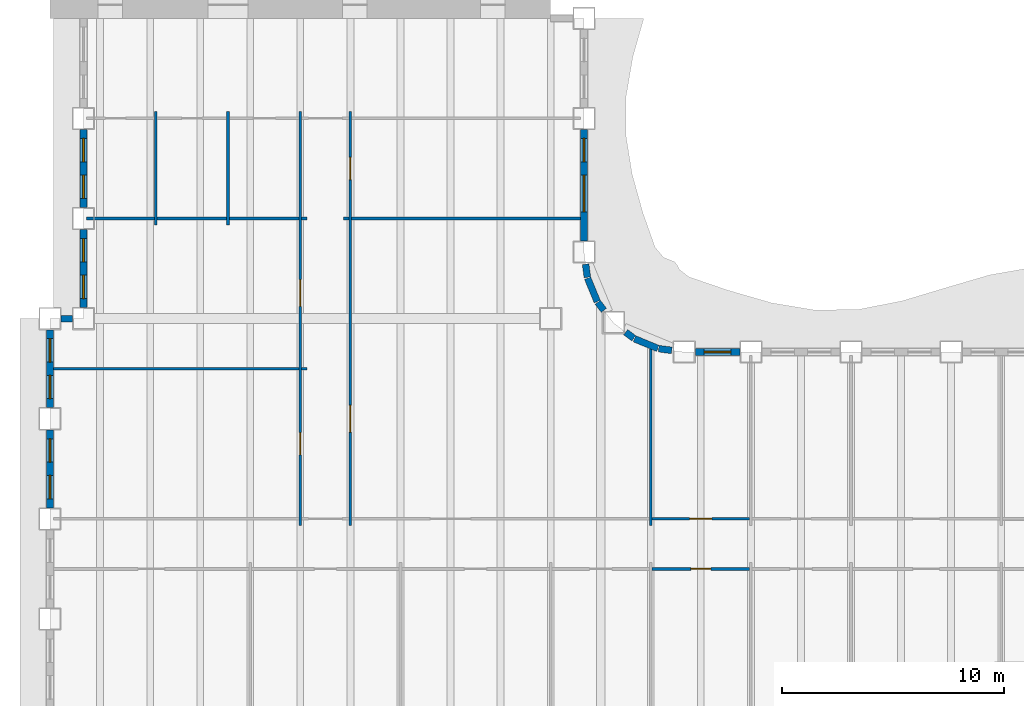
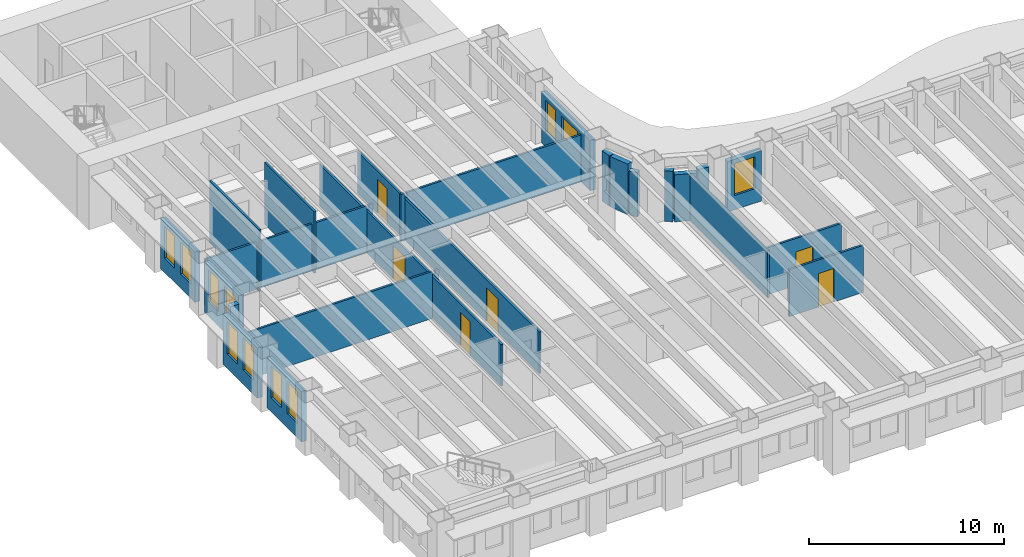
# One storey, part 4 of 16: 28 walls, 11 windows, 6 doors, 17 openings.
"""IFC4 building model written with IfcOpenShell, lengths in metres."""

from ifc_helpers import new_model, si_unit, direction, frame, frame_2d, origin, place, context, subcontext, project, spatial, rectangle, extrude, material, layer, layer_set, type_object, element, fill, save


model = new_model("IFC4")

# Units and contexts
model_context = context("Model", 3, precision=1e-05, world=origin(), true_north=direction((0.0, 1.0)))
body_context = subcontext(model_context, "Body", "Model", "MODEL_VIEW")
ifc_project = project(units=[si_unit("LENGTHUNIT", "METRE"), si_unit("AREAUNIT", "SQUARE_METRE"), si_unit("VOLUMEUNIT", "CUBIC_METRE"), si_unit("PLANEANGLEUNIT", "RADIAN"), si_unit("MASSUNIT", "GRAM", prefix="KILO")], contexts=[model_context])

# Site, building, storey
site_placement = place(None, origin())
site = spatial("IfcSite", under=ifc_project, at=site_placement, CompositionType="ELEMENT")
building_placement = place(site_placement, origin())
building = spatial("IfcBuilding", under=site, at=building_placement, Name="Sennacour Bend Tower", CompositionType="ELEMENT")
storey_placement = place(building_placement, frame((0.0, 0.0, 87.0)))
storey = spatial("IfcBuildingStorey", under=building, at=storey_placement, Name="L19", CompositionType="ELEMENT", Elevation=87.0)

# Walls
ifc_material_1 = material(Name="Plasterboard partition on steel studs", Category="steel")
ifc_layer_1 = layer(ifc_material_1, 0.1201171875, Name="Plasterboard partition on steel studs", Category="steel")
ifc_layer_set_1 = layer_set([ifc_layer_1], Name="Plasterboard partition on steel studs")
wall_type_1 = type_object("IfcWallType", Name="Partition 120", PredefinedType="PARTITIONING", material=ifc_layer_set_1)
for number, where, z_axis, x_axis, name in (
    (1, (4.75, 26.699951171875, 0.0), (0.0, 0.0, 1.0), (0.0, 1.0, 0.0), "P-L19-W007a"),
    (2, (8.0, 26.699951171875, 0.0), (0.0, 0.0, 1.0), (0.0, 1.0, 0.0), "P-L19-W009a"),
):
    element("IfcWall", number, at=place(storey_placement, frame(where, z_axis=z_axis, x_axis=x_axis)), inside=storey, type_object=wall_type_1, Name=name, PredefinedType="PARTITIONING", context=body_context, shape_type="SweptSolid", body=[
        extrude(rectangle(XDim=5.10009765625, YDim=0.1201171875, at=frame_2d((2.550048828125, 0.0))), origin(), (0.0, 0.0, 1.0), 3.85009765625),
    ])

# Wall, openings, doors
wall_1_placement = place(storey_placement, frame((11.25, 13.199951171875, 0.0), z_axis=(0.0, 0.0, 1.0), x_axis=(0.0, 1.0, 0.0)))
wall_1 = element("IfcWall", 3, at=wall_1_placement, inside=storey, type_object=wall_type_1, Name="P-L19-W014a", PredefinedType="PARTITIONING", context=body_context, shape_type="SweptSolid", body=[
    extrude(rectangle(XDim=18.60009765625, YDim=0.1201171875, at=frame_2d((9.300048828125, 0.0))), origin(), (0.0, 0.0, 1.0), 2.60009765625),
])
opening_1_placement = place(wall_1_placement, frame((3.175048828125, 0.0, 0.0)))
opening_1 = element("IfcOpeningElement", 4, at=opening_1_placement, cuts=wall_1, Name="Opening OD2", PredefinedType="OPENING", context=body_context, shape_type="SweptSolid", body=[
    extrude(rectangle(XDim=1.0, YDim=2.10009765625, at=frame_2d((0.5, 1.050048828125))), frame((0.0, 0.070068359375, 0.0), z_axis=(0.0, -1.0, 0.0), x_axis=(1.0, 0.0, 0.0)), (0.0, 0.0, 1.0), 0.14013671875),
])
opening_2_placement = place(wall_1_placement, frame((9.85498046875, 0.0, 0.0)))
opening_2 = element("IfcOpeningElement", 5, at=opening_2_placement, cuts=wall_1, Name="Opening MD", PredefinedType="OPENING", context=body_context, shape_type="SweptSolid", body=[
    extrude(rectangle(XDim=1.199951171875, YDim=2.10009765625, at=frame_2d((0.60009765625, 1.050048828125))), frame((0.0, 0.070068359375, 0.0), z_axis=(0.0, -1.0, 0.0), x_axis=(1.0, 0.0, 0.0)), (0.0, 0.0, 1.0), 0.14013671875),
])
ifc_material_2 = material(Name="Timber", Category="wood")
door_type_1 = type_object("IfcDoorType", Name="DR-MEETING-1200", OperationType="NOTDEFINED", PredefinedType="DOOR", material=ifc_material_2)
door_1_placement = place(opening_2_placement, origin())
door_1 = element("IfcDoor", 6, at=door_1_placement, inside=storey, type_object=door_type_1, Name="Door", OperationType="SINGLE_SWING_RIGHT", OverallHeight=2.10009765625, OverallWidth=1.199951171875, PredefinedType="DOOR", context=body_context, shape_type="SweptSolid", body=[
    extrude(rectangle(XDim=1.199951171875, YDim=2.10009765625, at=frame_2d((0.60009765625, 1.050048828125))), frame((0.0, 0.02490234375, 0.0), z_axis=(0.0, -1.0, 0.0), x_axis=(1.0, 0.0, 0.0)), (0.0, 0.0, 1.0), 0.050048828125),
])
fill(opening_2, door_1)
door_type_2 = type_object("IfcDoorType", Name="DR-OFFICE-1000", OperationType="NOTDEFINED", PredefinedType="DOOR", material=ifc_material_2)
door_2_placement = place(opening_1_placement, origin())
door_2 = element("IfcDoor", 7, at=door_2_placement, inside=storey, type_object=door_type_2, Name="Door", OperationType="SINGLE_SWING_LEFT", OverallHeight=2.10009765625, OverallWidth=1.0, PredefinedType="DOOR", context=body_context, shape_type="SweptSolid", body=[
    extrude(rectangle(XDim=1.0, YDim=2.10009765625, at=frame_2d((0.5, 1.050048828125))), frame((0.0, 0.02490234375, 0.0), z_axis=(0.0, -1.0, 0.0), x_axis=(1.0, 0.0, 0.0)), (0.0, 0.0, 1.0), 0.050048828125),
])
fill(opening_1, door_2)

wall_2_placement = place(storey_placement, frame((13.5, 13.199951171875, 0.0), z_axis=(0.0, 0.0, 1.0), x_axis=(0.0, 1.0, 0.0)))
wall_2 = element("IfcWall", 8, at=wall_2_placement, inside=storey, type_object=wall_type_1, Name="P-L19-W016a", PredefinedType="PARTITIONING", context=body_context, shape_type="SweptSolid", body=[
    extrude(rectangle(XDim=18.60009765625, YDim=0.1201171875, at=frame_2d((9.300048828125, 0.0))), origin(), (0.0, 0.0, 1.0), 2.60009765625),
])
opening_3_placement = place(wall_2_placement, frame((15.550048828125, 0.0, 0.0)))
opening_3 = element("IfcOpeningElement", 9, at=opening_3_placement, cuts=wall_2, Name="Opening OD2", PredefinedType="OPENING", context=body_context, shape_type="SweptSolid", body=[
    extrude(rectangle(XDim=1.0, YDim=2.10009765625, at=frame_2d((0.5, 1.050048828125))), frame((0.0, 0.070068359375, 0.0), z_axis=(0.0, -1.0, 0.0), x_axis=(1.0, 0.0, 0.0)), (0.0, 0.0, 1.0), 0.14013671875),
])
opening_4_placement = place(wall_2_placement, frame((4.199951171875, 0.0, 0.0)))
opening_4 = element("IfcOpeningElement", 10, at=opening_4_placement, cuts=wall_2, Name="Opening OD", PredefinedType="OPENING", context=body_context, shape_type="SweptSolid", body=[
    extrude(rectangle(XDim=1.199951171875, YDim=2.10009765625, at=frame_2d((0.60009765625, 1.050048828125))), frame((0.0, 0.070068359375, 0.0), z_axis=(0.0, -1.0, 0.0), x_axis=(1.0, 0.0, 0.0)), (0.0, 0.0, 1.0), 0.14013671875),
])
door_3_placement = place(opening_3_placement, origin())
door_3 = element("IfcDoor", 11, at=door_3_placement, inside=storey, type_object=door_type_2, Name="Door", OperationType="SINGLE_SWING_RIGHT", OverallHeight=2.10009765625, OverallWidth=1.0, PredefinedType="DOOR", context=body_context, shape_type="SweptSolid", body=[
    extrude(rectangle(XDim=1.0, YDim=2.10009765625, at=frame_2d((0.5, 1.050048828125))), frame((0.0, 0.02490234375, 0.0), z_axis=(0.0, -1.0, 0.0), x_axis=(1.0, 0.0, 0.0)), (0.0, 0.0, 1.0), 0.050048828125),
])
fill(opening_3, door_3)
door_type_3 = type_object("IfcDoorType", Name="DR-OFFICE-1200", OperationType="NOTDEFINED", PredefinedType="DOOR", material=ifc_material_2)
door_4_placement = place(opening_4_placement, origin())
door_4 = element("IfcDoor", 12, at=door_4_placement, inside=storey, type_object=door_type_3, Name="Door", OperationType="SINGLE_SWING_LEFT", OverallHeight=2.10009765625, OverallWidth=1.199951171875, PredefinedType="DOOR", context=body_context, shape_type="SweptSolid", body=[
    extrude(rectangle(XDim=1.199951171875, YDim=2.10009765625, at=frame_2d((0.60009765625, 1.050048828125))), frame((0.0, 0.02490234375, 0.0), z_axis=(0.0, -1.0, 0.0), x_axis=(1.0, 0.0, 0.0)), (0.0, 0.0, 1.0), 0.050048828125),
])
fill(opening_4, door_4)

# Wall
wall_3_placement = place(storey_placement, frame((27.0, 13.199951171875, 0.0), z_axis=(0.0, 0.0, 1.0), x_axis=(0.0, 1.0, 0.0)))
element("IfcWall", 13, at=wall_3_placement, inside=storey, type_object=wall_type_1, Name="P-L19-W027a", PredefinedType="PARTITIONING", context=body_context, shape_type="SweptSolid", body=[
    extrude(rectangle(XDim=7.929931640625, YDim=0.1201171875, at=frame_2d((3.96484375, 0.0))), origin(), (0.0, 0.0, 1.0), 2.93798828125),
])

# Wall, opening, door
wall_4_placement = place(storey_placement, frame((27.06005859375, 13.5, 0.0), z_axis=(0.0, 0.0, 1.0), x_axis=(1.0, 0.0, 0.0)))
wall_4 = element("IfcWall", 14, at=wall_4_placement, inside=storey, type_object=wall_type_1, Name="P-L19-W060ad", PredefinedType="PARTITIONING", context=body_context, shape_type="SweptSolid", body=[
    extrude(rectangle(XDim=4.3798828125, YDim=0.1201171875, at=frame_2d((2.18994140625, 0.0))), origin(), (0.0, 0.0, 1.0), 2.93798828125),
])
opening_5_placement = place(wall_4_placement, frame((1.68994140625, 0.0, 0.0)))
opening_5 = element("IfcOpeningElement", 15, at=opening_5_placement, cuts=wall_4, Name="Opening OD2", PredefinedType="OPENING", context=body_context, shape_type="SweptSolid", body=[
    extrude(rectangle(XDim=1.0, YDim=2.10009765625, at=frame_2d((0.5, 1.050048828125))), frame((0.0, 0.070068359375, 0.0), z_axis=(0.0, -1.0, 0.0), x_axis=(1.0, 0.0, 0.0)), (0.0, 0.0, 1.0), 0.14013671875),
])
door_5_placement = place(opening_5_placement, origin())
door_5 = element("IfcDoor", 16, at=door_5_placement, inside=storey, type_object=door_type_2, Name="Door", OperationType="SINGLE_SWING_LEFT", OverallHeight=2.10009765625, OverallWidth=1.0, PredefinedType="DOOR", context=body_context, shape_type="SweptSolid", body=[
    extrude(rectangle(XDim=1.0, YDim=2.10009765625, at=frame_2d((0.5, 1.050048828125))), frame((0.0, 0.02490234375, 0.0), z_axis=(0.0, -1.0, 0.0), x_axis=(1.0, 0.0, 0.0)), (0.0, 0.0, 1.0), 0.050048828125),
])
fill(opening_5, door_5)

# Walls
wall_5_placement = place(storey_placement, frame((0.14990234375, 20.25, 0.0), z_axis=(0.0, 0.0, 1.0), x_axis=(1.0, 0.0, 0.0)))
element("IfcWall", 17, at=wall_5_placement, inside=storey, type_object=wall_type_1, Name="P-L19-W067aa", PredefinedType="PARTITIONING", context=body_context, shape_type="SweptSolid", body=[
    extrude(rectangle(XDim=11.0400390625, YDim=0.1201171875, at=frame_2d((5.52001953125, 0.0))), origin(), (0.0, 0.0, 1.0), 2.93798828125),
])
wall_6_placement = place(storey_placement, frame((11.31005859375, 20.25, 0.0), z_axis=(0.0, 0.0, 1.0), x_axis=(1.0, 0.0, 0.0)))
element("IfcWall", 18, at=wall_6_placement, inside=storey, type_object=wall_type_1, Name="P-L19-W067ab", PredefinedType="PARTITIONING", context=body_context, shape_type="SweptSolid", body=[
    extrude(rectangle(XDim=0.239990234375, YDim=0.1201171875, at=frame_2d((0.1201171875, 0.0))), origin(), (0.0, 0.0, 1.0), 2.93798828125),
])
wall_7_placement = place(storey_placement, frame((1.64990234375, 27.0, 0.0), z_axis=(0.0, 0.0, 1.0), x_axis=(1.0, 0.0, 0.0)))
element("IfcWall", 19, at=wall_7_placement, inside=storey, type_object=wall_type_1, Name="P-L19-W070aa", PredefinedType="PARTITIONING", context=body_context, shape_type="SweptSolid", body=[
    extrude(rectangle(XDim=3.0400390625, YDim=0.1201171875, at=frame_2d((1.52001953125, 0.0))), origin(), (0.0, 0.0, 1.0), 2.93798828125),
])
for number, where, z_axis, x_axis, name in (
    (20, (4.81005859375, 27.0, 0.0), (0.0, 0.0, 1.0), (1.0, 0.0, 0.0), "P-L19-W070ab"),
    (21, (8.06005859375, 27.0, 0.0), (0.0, 0.0, 1.0), (1.0, 0.0, 0.0), "P-L19-W070ac"),
):
    element("IfcWall", number, at=place(storey_placement, frame(where, z_axis=z_axis, x_axis=x_axis)), inside=storey, type_object=wall_type_1, Name=name, PredefinedType="PARTITIONING", context=body_context, shape_type="SweptSolid", body=[
        extrude(rectangle(XDim=3.1298828125, YDim=0.1201171875, at=frame_2d((1.56494140625, 0.0))), origin(), (0.0, 0.0, 1.0), 2.93798828125),
    ])
for number, where, z_axis, x_axis, name in (
    (22, (11.31005859375, 27.0, 0.0), (0.0, 0.0, 1.0), (1.0, 0.0, 0.0), "P-L19-W070ad"),
    (23, (13.199951171875, 27.0, 0.0), (0.0, 0.0, 1.0), (1.0, 0.0, 0.0), "P-L19-W071aa"),
):
    element("IfcWall", number, at=place(storey_placement, frame(where, z_axis=z_axis, x_axis=x_axis)), inside=storey, type_object=wall_type_1, Name=name, PredefinedType="PARTITIONING", context=body_context, shape_type="SweptSolid", body=[
        extrude(rectangle(XDim=0.239990234375, YDim=0.1201171875, at=frame_2d((0.1201171875, 0.0))), origin(), (0.0, 0.0, 1.0), 2.93798828125),
    ])
wall_8_placement = place(storey_placement, frame((13.56005859375, 27.0, 0.0), z_axis=(0.0, 0.0, 1.0), x_axis=(1.0, 0.0, 0.0)))
element("IfcWall", 24, at=wall_8_placement, inside=storey, type_object=wall_type_1, Name="P-L19-W071ab", PredefinedType="PARTITIONING", context=body_context, shape_type="SweptSolid", body=[
    extrude(rectangle(XDim=10.2900390625, YDim=0.1201171875, at=frame_2d((5.14501953125, 0.0))), origin(), (0.0, 0.0, 1.0), 2.93798828125),
])

# Wall, opening, door
ifc_layer_2 = layer(ifc_material_1, 0.1201171875, Name="Plasterboard partition on steel studs", Category="steel")
ifc_layer_set_2 = layer_set([ifc_layer_2], Name="Plasterboard partition on steel studs")
wall_type_2 = type_object("IfcWallType", Name="Partition 120 EI 60", PredefinedType="PARTITIONING", material=ifc_layer_set_2)
wall_9_placement = place(storey_placement, frame((27.06005859375, 11.25, 0.0), z_axis=(0.0, 0.0, 1.0), x_axis=(1.0, 0.0, 0.0)))
wall_9 = element("IfcWall", 25, at=wall_9_placement, inside=storey, type_object=wall_type_2, Name="P-L19-W058ae", PredefinedType="PARTITIONING", context=body_context, shape_type="SweptSolid", body=[
    extrude(rectangle(XDim=4.3798828125, YDim=0.1201171875, at=frame_2d((2.18994140625, 0.0))), origin(), (0.0, 0.0, 1.0), 2.93798828125),
])
opening_6_placement = place(wall_9_placement, frame((1.739990234375, 0.0, 0.0)))
opening_6 = element("IfcOpeningElement", 26, at=opening_6_placement, cuts=wall_9, Name="Opening SV", PredefinedType="OPENING", context=body_context, shape_type="SweptSolid", body=[
    extrude(rectangle(XDim=0.89990234375, YDim=2.10009765625, at=frame_2d((0.449951171875, 1.050048828125))), frame((0.0, 0.070068359375, 0.0), z_axis=(0.0, -1.0, 0.0), x_axis=(1.0, 0.0, 0.0)), (0.0, 0.0, 1.0), 0.14013671875),
])
ifc_material_3 = material(Name="Painted steel", Category="steel")
door_type_4 = type_object("IfcDoorType", Name="DR-SERVICE-900", OperationType="NOTDEFINED", PredefinedType="DOOR", material=ifc_material_3)
door_6_placement = place(opening_6_placement, origin())
door_6 = element("IfcDoor", 27, at=door_6_placement, inside=storey, type_object=door_type_4, Name="Door", OperationType="SINGLE_SWING_LEFT", OverallHeight=2.10009765625, OverallWidth=0.89990234375, PredefinedType="DOOR", context=body_context, shape_type="SweptSolid", body=[
    extrude(rectangle(XDim=0.89990234375, YDim=2.10009765625, at=frame_2d((0.449951171875, 1.050048828125))), frame((0.0, 0.02490234375, 0.0), z_axis=(0.0, -1.0, 0.0), x_axis=(1.0, 0.0, 0.0)), (0.0, 0.0, 1.0), 0.050048828125),
])
fill(opening_6, door_6)

# Wall, opening, window
ifc_material_4 = material(Name="Warm limestone cladding", Category="masonry")
ifc_layer_3 = layer(ifc_material_4, 0.050048828125, Name="Warm limestone cladding", Category="masonry")
ifc_material_5 = material(Name="Precast concrete C40/50", Category="concrete")
ifc_layer_4 = layer(ifc_material_5, 0.25, Name="Precast concrete C40/50", Category="concrete")
ifc_layer_set_3 = layer_set([ifc_layer_3, ifc_layer_4], Name="Precast concrete C40/50 with limestone cladding")
wall_type_3 = type_object("IfcWallType", Name="STONE-CLAD PRECAST SPANDREL 300", PredefinedType="STANDARD", material=ifc_layer_set_3)
wall_10_placement = place(storey_placement, frame((31.0, 21.0, 0.0), z_axis=(0.0, 0.0, 1.0), x_axis=(-1.0, 0.0, 0.0)))
wall_10 = element("IfcWall", 28, at=wall_10_placement, inside=storey, type_object=wall_type_3, Name="Stone spandrel and pier wall L19 06.05", PredefinedType="STANDARD", context=body_context, shape_type="SweptSolid", body=[
    extrude(rectangle(XDim=2.0, YDim=0.300048828125, at=frame_2d((1.0, 0.0))), origin(), (0.0, 0.0, 1.0), 3.154052734375),
])
opening_7_placement = place(wall_10_placement, frame((0.39990234375, 0.0, 0.89990234375)))
opening_7 = element("IfcOpeningElement", 29, at=opening_7_placement, cuts=wall_10, Name="Opening W14", PredefinedType="OPENING", context=body_context, shape_type="SweptSolid", body=[
    extrude(rectangle(XDim=1.199951171875, YDim=2.0, at=frame_2d((0.60009765625, 1.0))), frame((0.0, 0.16015625, 0.0), z_axis=(0.0, -1.0, 0.0), x_axis=(1.0, 0.0, 0.0)), (0.0, 0.0, 1.0), 0.320068359375),
])
ifc_material_6 = material(Name="Clear low-emissivity glass", Category="glass")
window_type_1 = type_object("IfcWindowType", Name="WIN-RIBBON-1200x2000", PartitioningType="SINGLE_PANEL", PredefinedType="WINDOW", material=ifc_material_6)
window_1_placement = place(opening_7_placement, origin())
window_1 = element("IfcWindow", 30, at=window_1_placement, inside=storey, type_object=window_type_1, Name="Ribbon window L19 06.05", OverallHeight=2.0, OverallWidth=1.199951171875, PartitioningType="SINGLE_PANEL", PredefinedType="WINDOW", context=body_context, shape_type="SweptSolid", body=[
    extrude(rectangle(XDim=1.199951171875, YDim=2.0, at=frame_2d((0.60009765625, 1.0))), frame((0.0, 0.030029296875, 0.0), z_axis=(0.0, -1.0, 0.0), x_axis=(1.0, 0.0, 0.0)), (0.0, 0.0, 1.0), 0.06005859375),
])
fill(opening_7, window_1)

# Walls
wall_11_placement = place(storey_placement, frame((27.94384765625, 21.0732421875, 0.0), z_axis=(0.0, 0.0, 1.0), x_axis=(-0.991420685839, 0.130709692412, 0.0)))
element("IfcWall", 31, at=wall_11_placement, inside=storey, type_object=wall_type_3, Name="Stone spandrel and pier wall L19 07.00", PredefinedType="STANDARD", context=body_context, shape_type="SweptSolid", body=[
    extrude(rectangle(XDim=0.593994140625, YDim=0.300048828125, at=frame_2d((0.296875, 0.0))), origin(), (0.0, 0.0, 1.0), 3.154052734375),
])
wall_12_placement = place(storey_placement, frame((27.317138671875, 21.160888671875, 0.0), z_axis=(0.0, 0.0, 1.0), x_axis=(-0.923914616768, 0.382598720491, 0.0)))
element("IfcWall", 32, at=wall_12_placement, inside=storey, type_object=wall_type_3, Name="Stone spandrel and pier wall L19 08.00", PredefinedType="STANDARD", context=body_context, shape_type="SweptSolid", body=[
    extrude(rectangle(XDim=1.13525390625, YDim=0.300048828125, at=frame_2d((0.567626953125, 0.0))), origin(), (0.0, 0.0, 1.0), 2.93798828125),
])
wall_13_placement = place(storey_placement, frame((26.234375, 21.614990234375, 0.0), z_axis=(0.0, 0.0, 1.0), x_axis=(-0.793563062559, 0.608488016104, 0.0)))
element("IfcWall", 33, at=wall_13_placement, inside=storey, type_object=wall_type_3, Name="Stone spandrel and pier wall L19 09.00", PredefinedType="STANDARD", context=body_context, shape_type="SweptSolid", body=[
    extrude(rectangle(XDim=0.453857421875, YDim=0.300048828125, at=frame_2d((0.22705078125, 0.0))), origin(), (0.0, 0.0, 1.0), 3.154052734375),
])
wall_14_placement = place(storey_placement, frame((24.89111328125, 22.874267578125, 0.0), z_axis=(0.0, 0.0, 1.0), x_axis=(-0.608488016104, 0.793563062559, 0.0)))
element("IfcWall", 34, at=wall_14_placement, inside=storey, type_object=wall_type_3, Name="Stone spandrel and pier wall L19 10.00", PredefinedType="STANDARD", context=body_context, shape_type="SweptSolid", body=[
    extrude(rectangle(XDim=0.453857421875, YDim=0.300048828125, at=frame_2d((0.22705078125, 0.0))), origin(), (0.0, 0.0, 1.0), 2.760009765625),
])
wall_15_placement = place(storey_placement, frame((24.59521484375, 23.268310546875, 0.0), z_axis=(0.0, 0.0, 1.0), x_axis=(-0.382598720491, 0.923914616768, 0.0)))
element("IfcWall", 35, at=wall_15_placement, inside=storey, type_object=wall_type_3, Name="Stone spandrel and pier wall L19 11.00", PredefinedType="STANDARD", context=body_context, shape_type="SweptSolid", body=[
    extrude(rectangle(XDim=1.13525390625, YDim=0.300048828125, at=frame_2d((0.567626953125, 0.0))), origin(), (0.0, 0.0, 1.0), 3.154052734375),
])
wall_16_placement = place(storey_placement, frame((24.15087890625, 24.35498046875, 0.0), z_axis=(0.0, 0.0, 1.0), x_axis=(-0.130709692412, 0.991420685839, 0.0)))
element("IfcWall", 36, at=wall_16_placement, inside=storey, type_object=wall_type_3, Name="Stone spandrel and pier wall L19 12.00", PredefinedType="STANDARD", context=body_context, shape_type="SweptSolid", body=[
    extrude(rectangle(XDim=0.593994140625, YDim=0.300048828125, at=frame_2d((0.296875, 0.0))), origin(), (0.0, 0.0, 1.0), 3.154052734375),
])

# Wall, openings, windows
wall_17_placement = place(storey_placement, frame((24.0, 26.0, 0.0), z_axis=(0.0, 0.0, 1.0), x_axis=(0.0, 1.0, 0.0)))
wall_17 = element("IfcWall", 37, at=wall_17_placement, inside=storey, type_object=wall_type_3, Name="Stone spandrel and pier wall L19 13.00", PredefinedType="STANDARD", context=body_context, shape_type="SweptSolid", body=[
    extrude(rectangle(XDim=5.0, YDim=0.300048828125, at=frame_2d((2.5, 0.0))), origin(), (0.0, 0.0, 1.0), 3.154052734375),
])
opening_8_placement = place(wall_17_placement, frame((1.300048828125, 0.0, 0.89990234375)))
opening_8 = element("IfcOpeningElement", 38, at=opening_8_placement, cuts=wall_17, Name="Opening W10", PredefinedType="OPENING", context=body_context, shape_type="SweptSolid", body=[
    extrude(rectangle(XDim=1.64990234375, YDim=2.0, at=frame_2d((0.824951171875, 1.0))), frame((0.0, 0.16015625, 0.0), z_axis=(0.0, -1.0, 0.0), x_axis=(1.0, 0.0, 0.0)), (0.0, 0.0, 1.0), 0.320068359375),
])
opening_9_placement = place(wall_17_placement, frame((3.550048828125, 0.0, 0.89990234375)))
opening_9 = element("IfcOpeningElement", 39, at=opening_9_placement, cuts=wall_17, Name="Opening W13", PredefinedType="OPENING", context=body_context, shape_type="SweptSolid", body=[
    extrude(rectangle(XDim=1.050048828125, YDim=2.0, at=frame_2d((0.52490234375, 1.0))), frame((0.0, 0.16015625, 0.0), z_axis=(0.0, -1.0, 0.0), x_axis=(1.0, 0.0, 0.0)), (0.0, 0.0, 1.0), 0.320068359375),
])
window_type_2 = type_object("IfcWindowType", Name="WIN-RIBBON-1050x2000", PartitioningType="SINGLE_PANEL", PredefinedType="WINDOW", material=ifc_material_6)
window_2_placement = place(opening_9_placement, origin())
window_2 = element("IfcWindow", 40, at=window_2_placement, inside=storey, type_object=window_type_2, Name="Ribbon window L19 13.00.1", OverallHeight=2.0, OverallWidth=1.050048828125, PartitioningType="SINGLE_PANEL", PredefinedType="WINDOW", context=body_context, shape_type="SweptSolid", body=[
    extrude(rectangle(XDim=1.050048828125, YDim=2.0, at=frame_2d((0.52490234375, 1.0))), frame((0.0, 0.030029296875, 0.0), z_axis=(0.0, -1.0, 0.0), x_axis=(1.0, 0.0, 0.0)), (0.0, 0.0, 1.0), 0.06005859375),
])
fill(opening_9, window_2)
window_type_3 = type_object("IfcWindowType", Name="WIN-RIBBON-1650x2000", PartitioningType="SINGLE_PANEL", PredefinedType="WINDOW", material=ifc_material_6)
window_3_placement = place(opening_8_placement, origin())
window_3 = element("IfcWindow", 41, at=window_3_placement, inside=storey, type_object=window_type_3, Name="Ribbon window L19 13.00.0", OverallHeight=2.0, OverallWidth=1.64990234375, PartitioningType="SINGLE_PANEL", PredefinedType="WINDOW", context=body_context, shape_type="SweptSolid", body=[
    extrude(rectangle(XDim=1.64990234375, YDim=2.0, at=frame_2d((0.824951171875, 1.0))), frame((0.0, 0.030029296875, 0.0), z_axis=(0.0, -1.0, 0.0), x_axis=(1.0, 0.0, 0.0)), (0.0, 0.0, 1.0), 0.06005859375),
])
fill(opening_8, window_3)

wall_18_placement = place(storey_placement, frame((1.5, 31.0, 0.0), z_axis=(0.0, 0.0, 1.0), x_axis=(0.0, -1.0, 0.0)))
wall_18 = element("IfcWall", 42, at=wall_18_placement, inside=storey, type_object=wall_type_3, Name="Stone spandrel and pier wall L19 19.01", PredefinedType="STANDARD", context=body_context, shape_type="SweptSolid", body=[
    extrude(rectangle(XDim=3.5, YDim=0.300048828125, at=frame_2d((1.75, 0.0))), origin(), (0.0, 0.0, 1.0), 3.154052734375),
])
opening_10_placement = place(wall_18_placement, frame((0.39990234375, 0.0, 0.89990234375)))
opening_10 = element("IfcOpeningElement", 43, at=opening_10_placement, cuts=wall_18, Name="Opening W13", PredefinedType="OPENING", context=body_context, shape_type="SweptSolid", body=[
    extrude(rectangle(XDim=1.050048828125, YDim=2.0, at=frame_2d((0.52490234375, 1.0))), frame((0.0, 0.16015625, 0.0), z_axis=(0.0, -1.0, 0.0), x_axis=(1.0, 0.0, 0.0)), (0.0, 0.0, 1.0), 0.320068359375),
])
opening_11_placement = place(wall_18_placement, frame((2.050048828125, 0.0, 0.89990234375)))
opening_11 = element("IfcOpeningElement", 44, at=opening_11_placement, cuts=wall_18, Name="Opening W13", PredefinedType="OPENING", context=body_context, shape_type="SweptSolid", body=[
    extrude(rectangle(XDim=1.050048828125, YDim=2.0, at=frame_2d((0.52490234375, 1.0))), frame((0.0, 0.16015625, 0.0), z_axis=(0.0, -1.0, 0.0), x_axis=(1.0, 0.0, 0.0)), (0.0, 0.0, 1.0), 0.320068359375),
])
window_4_placement = place(opening_10_placement, origin())
window_4 = element("IfcWindow", 45, at=window_4_placement, inside=storey, type_object=window_type_2, Name="Ribbon window L19 19.01.0", OverallHeight=2.0, OverallWidth=1.050048828125, PartitioningType="SINGLE_PANEL", PredefinedType="WINDOW", context=body_context, shape_type="SweptSolid", body=[
    extrude(rectangle(XDim=1.050048828125, YDim=2.0, at=frame_2d((0.52490234375, 1.0))), frame((0.0, 0.030029296875, 0.0), z_axis=(0.0, -1.0, 0.0), x_axis=(1.0, 0.0, 0.0)), (0.0, 0.0, 1.0), 0.06005859375),
])
fill(opening_10, window_4)
window_5_placement = place(opening_11_placement, origin())
window_5 = element("IfcWindow", 46, at=window_5_placement, inside=storey, type_object=window_type_2, Name="Ribbon window L19 19.01.1", OverallHeight=2.0, OverallWidth=1.050048828125, PartitioningType="SINGLE_PANEL", PredefinedType="WINDOW", context=body_context, shape_type="SweptSolid", body=[
    extrude(rectangle(XDim=1.050048828125, YDim=2.0, at=frame_2d((0.52490234375, 1.0))), frame((0.0, 0.030029296875, 0.0), z_axis=(0.0, -1.0, 0.0), x_axis=(1.0, 0.0, 0.0)), (0.0, 0.0, 1.0), 0.06005859375),
])
fill(opening_11, window_5)

wall_19_placement = place(storey_placement, frame((1.5, 26.5, 0.0), z_axis=(0.0, 0.0, 1.0), x_axis=(0.0, -1.0, 0.0)))
wall_19 = element("IfcWall", 47, at=wall_19_placement, inside=storey, type_object=wall_type_3, Name="Stone spandrel and pier wall L19 19.02", PredefinedType="STANDARD", context=body_context, shape_type="SweptSolid", body=[
    extrude(rectangle(XDim=3.5, YDim=0.300048828125, at=frame_2d((1.75, 0.0))), origin(), (0.0, 0.0, 1.0), 3.154052734375),
])
opening_12_placement = place(wall_19_placement, frame((0.39990234375, 0.0, 0.89990234375)))
opening_12 = element("IfcOpeningElement", 48, at=opening_12_placement, cuts=wall_19, Name="Opening W13", PredefinedType="OPENING", context=body_context, shape_type="SweptSolid", body=[
    extrude(rectangle(XDim=1.050048828125, YDim=2.0, at=frame_2d((0.52490234375, 1.0))), frame((0.0, 0.16015625, 0.0), z_axis=(0.0, -1.0, 0.0), x_axis=(1.0, 0.0, 0.0)), (0.0, 0.0, 1.0), 0.320068359375),
])
opening_13_placement = place(wall_19_placement, frame((2.050048828125, 0.0, 0.89990234375)))
opening_13 = element("IfcOpeningElement", 49, at=opening_13_placement, cuts=wall_19, Name="Opening W13", PredefinedType="OPENING", context=body_context, shape_type="SweptSolid", body=[
    extrude(rectangle(XDim=1.050048828125, YDim=2.0, at=frame_2d((0.52490234375, 1.0))), frame((0.0, 0.16015625, 0.0), z_axis=(0.0, -1.0, 0.0), x_axis=(1.0, 0.0, 0.0)), (0.0, 0.0, 1.0), 0.320068359375),
])
window_6_placement = place(opening_12_placement, origin())
window_6 = element("IfcWindow", 50, at=window_6_placement, inside=storey, type_object=window_type_2, Name="Ribbon window L19 19.02.0", OverallHeight=2.0, OverallWidth=1.050048828125, PartitioningType="SINGLE_PANEL", PredefinedType="WINDOW", context=body_context, shape_type="SweptSolid", body=[
    extrude(rectangle(XDim=1.050048828125, YDim=2.0, at=frame_2d((0.52490234375, 1.0))), frame((0.0, 0.030029296875, 0.0), z_axis=(0.0, -1.0, 0.0), x_axis=(1.0, 0.0, 0.0)), (0.0, 0.0, 1.0), 0.06005859375),
])
fill(opening_12, window_6)
window_7_placement = place(opening_13_placement, origin())
window_7 = element("IfcWindow", 51, at=window_7_placement, inside=storey, type_object=window_type_2, Name="Ribbon window L19 19.02.1", OverallHeight=2.0, OverallWidth=1.050048828125, PartitioningType="SINGLE_PANEL", PredefinedType="WINDOW", context=body_context, shape_type="SweptSolid", body=[
    extrude(rectangle(XDim=1.050048828125, YDim=2.0, at=frame_2d((0.52490234375, 1.0))), frame((0.0, 0.030029296875, 0.0), z_axis=(0.0, -1.0, 0.0), x_axis=(1.0, 0.0, 0.0)), (0.0, 0.0, 1.0), 0.06005859375),
])
fill(opening_13, window_7)

# Wall
wall_20_placement = place(storey_placement, frame((1.0, 22.5, 0.0), z_axis=(0.0, 0.0, 1.0), x_axis=(-1.0, 0.0, 0.0)))
element("IfcWall", 52, at=wall_20_placement, inside=storey, type_object=wall_type_3, Name="Stone spandrel and pier wall L19 20.00", PredefinedType="STANDARD", context=body_context, shape_type="SweptSolid", body=[
    extrude(rectangle(XDim=0.5, YDim=0.300048828125, at=frame_2d((0.25, 0.0))), origin(), (0.0, 0.0, 1.0), 3.154052734375),
])

# Wall, openings, windows
wall_21_placement = place(storey_placement, frame((0.0, 22.0, 0.0), z_axis=(0.0, 0.0, 1.0), x_axis=(0.0, -1.0, 0.0)))
wall_21 = element("IfcWall", 53, at=wall_21_placement, inside=storey, type_object=wall_type_3, Name="Stone spandrel and pier wall L19 21.00", PredefinedType="STANDARD", context=body_context, shape_type="SweptSolid", body=[
    extrude(rectangle(XDim=3.5, YDim=0.300048828125, at=frame_2d((1.75, 0.0))), origin(), (0.0, 0.0, 1.0), 3.154052734375),
])
opening_14_placement = place(wall_21_placement, frame((0.39990234375, 0.0, 0.89990234375)))
opening_14 = element("IfcOpeningElement", 54, at=opening_14_placement, cuts=wall_21, Name="Opening W13", PredefinedType="OPENING", context=body_context, shape_type="SweptSolid", body=[
    extrude(rectangle(XDim=1.050048828125, YDim=2.0, at=frame_2d((0.52490234375, 1.0))), frame((0.0, 0.16015625, 0.0), z_axis=(0.0, -1.0, 0.0), x_axis=(1.0, 0.0, 0.0)), (0.0, 0.0, 1.0), 0.320068359375),
])
opening_15_placement = place(wall_21_placement, frame((2.050048828125, 0.0, 0.89990234375)))
opening_15 = element("IfcOpeningElement", 55, at=opening_15_placement, cuts=wall_21, Name="Opening W13", PredefinedType="OPENING", context=body_context, shape_type="SweptSolid", body=[
    extrude(rectangle(XDim=1.050048828125, YDim=2.0, at=frame_2d((0.52490234375, 1.0))), frame((0.0, 0.16015625, 0.0), z_axis=(0.0, -1.0, 0.0), x_axis=(1.0, 0.0, 0.0)), (0.0, 0.0, 1.0), 0.320068359375),
])
window_8_placement = place(opening_14_placement, origin())
window_8 = element("IfcWindow", 56, at=window_8_placement, inside=storey, type_object=window_type_2, Name="Ribbon window L19 21.00.0", OverallHeight=2.0, OverallWidth=1.050048828125, PartitioningType="SINGLE_PANEL", PredefinedType="WINDOW", context=body_context, shape_type="SweptSolid", body=[
    extrude(rectangle(XDim=1.050048828125, YDim=2.0, at=frame_2d((0.52490234375, 1.0))), frame((0.0, 0.030029296875, 0.0), z_axis=(0.0, -1.0, 0.0), x_axis=(1.0, 0.0, 0.0)), (0.0, 0.0, 1.0), 0.06005859375),
])
fill(opening_14, window_8)
window_9_placement = place(opening_15_placement, origin())
window_9 = element("IfcWindow", 57, at=window_9_placement, inside=storey, type_object=window_type_2, Name="Ribbon window L19 21.00.1", OverallHeight=2.0, OverallWidth=1.050048828125, PartitioningType="SINGLE_PANEL", PredefinedType="WINDOW", context=body_context, shape_type="SweptSolid", body=[
    extrude(rectangle(XDim=1.050048828125, YDim=2.0, at=frame_2d((0.52490234375, 1.0))), frame((0.0, 0.030029296875, 0.0), z_axis=(0.0, -1.0, 0.0), x_axis=(1.0, 0.0, 0.0)), (0.0, 0.0, 1.0), 0.06005859375),
])
fill(opening_15, window_9)

wall_22_placement = place(storey_placement, frame((0.0, 17.5, 0.0), z_axis=(0.0, 0.0, 1.0), x_axis=(0.0, -1.0, 0.0)))
wall_22 = element("IfcWall", 58, at=wall_22_placement, inside=storey, type_object=wall_type_3, Name="Stone spandrel and pier wall L19 21.01", PredefinedType="STANDARD", context=body_context, shape_type="SweptSolid", body=[
    extrude(rectangle(XDim=3.5, YDim=0.300048828125, at=frame_2d((1.75, 0.0))), origin(), (0.0, 0.0, 1.0), 3.154052734375),
])
opening_16_placement = place(wall_22_placement, frame((0.39990234375, 0.0, 0.89990234375)))
opening_16 = element("IfcOpeningElement", 59, at=opening_16_placement, cuts=wall_22, Name="Opening W13", PredefinedType="OPENING", context=body_context, shape_type="SweptSolid", body=[
    extrude(rectangle(XDim=1.050048828125, YDim=2.0, at=frame_2d((0.52490234375, 1.0))), frame((0.0, 0.16015625, 0.0), z_axis=(0.0, -1.0, 0.0), x_axis=(1.0, 0.0, 0.0)), (0.0, 0.0, 1.0), 0.320068359375),
])
opening_17_placement = place(wall_22_placement, frame((2.050048828125, 0.0, 0.89990234375)))
opening_17 = element("IfcOpeningElement", 60, at=opening_17_placement, cuts=wall_22, Name="Opening W13", PredefinedType="OPENING", context=body_context, shape_type="SweptSolid", body=[
    extrude(rectangle(XDim=1.050048828125, YDim=2.0, at=frame_2d((0.52490234375, 1.0))), frame((0.0, 0.16015625, 0.0), z_axis=(0.0, -1.0, 0.0), x_axis=(1.0, 0.0, 0.0)), (0.0, 0.0, 1.0), 0.320068359375),
])
window_10_placement = place(opening_16_placement, origin())
window_10 = element("IfcWindow", 61, at=window_10_placement, inside=storey, type_object=window_type_2, Name="Ribbon window L19 21.01.0", OverallHeight=2.0, OverallWidth=1.050048828125, PartitioningType="SINGLE_PANEL", PredefinedType="WINDOW", context=body_context, shape_type="SweptSolid", body=[
    extrude(rectangle(XDim=1.050048828125, YDim=2.0, at=frame_2d((0.52490234375, 1.0))), frame((0.0, 0.030029296875, 0.0), z_axis=(0.0, -1.0, 0.0), x_axis=(1.0, 0.0, 0.0)), (0.0, 0.0, 1.0), 0.06005859375),
])
fill(opening_16, window_10)
window_11_placement = place(opening_17_placement, origin())
window_11 = element("IfcWindow", 62, at=window_11_placement, inside=storey, type_object=window_type_2, Name="Ribbon window L19 21.01.1", OverallHeight=2.0, OverallWidth=1.050048828125, PartitioningType="SINGLE_PANEL", PredefinedType="WINDOW", context=body_context, shape_type="SweptSolid", body=[
    extrude(rectangle(XDim=1.050048828125, YDim=2.0, at=frame_2d((0.52490234375, 1.0))), frame((0.0, 0.030029296875, 0.0), z_axis=(0.0, -1.0, 0.0), x_axis=(1.0, 0.0, 0.0)), (0.0, 0.0, 1.0), 0.06005859375),
])
fill(opening_17, window_11)

save(model, "model.ifc")
